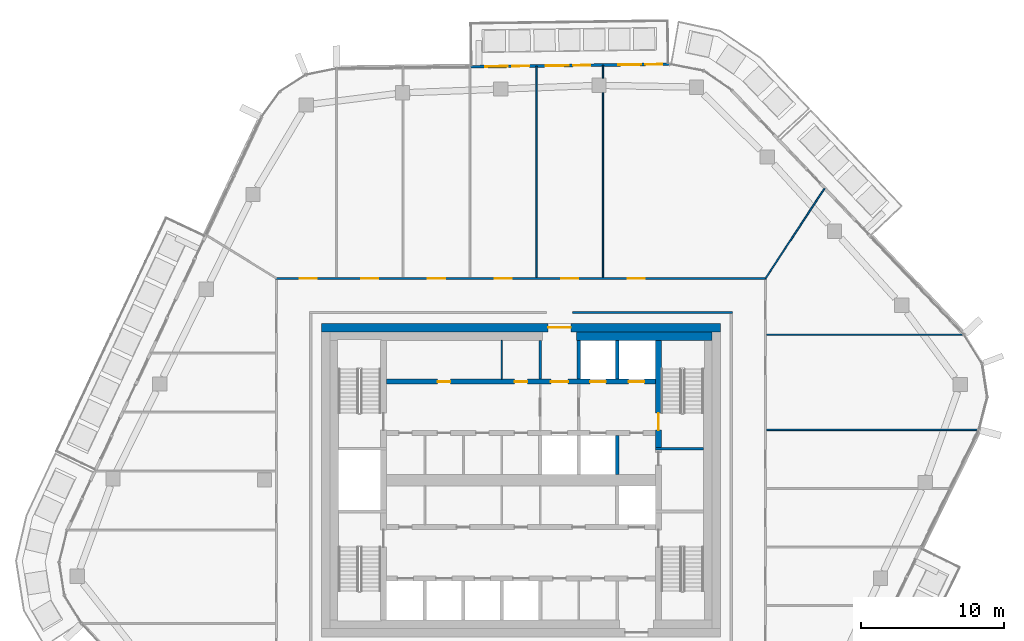
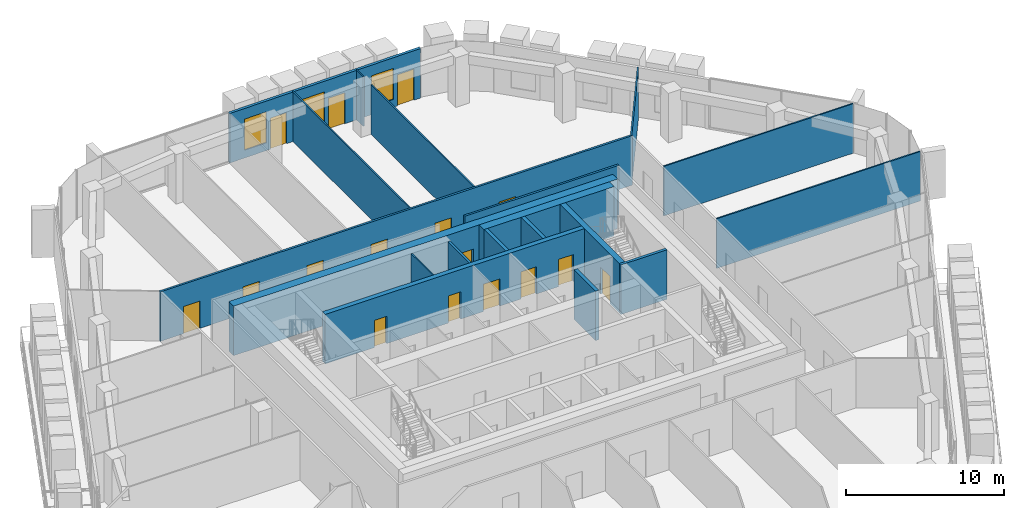
# One storey, part 16 of 23: 19 walls, 16 doors, 3 windows, 19 openings.
"""IFC4 building model written with IfcOpenShell, lengths in metres."""

from ifc_helpers import new_model, si_unit, direction, frame, frame_2d, origin, place, context, subcontext, project, spatial, rectangle, extrude, material, layer, layer_set, type_object, element, fill, save


model = new_model("IFC4")

# Units and contexts
model_context = context("Model", 3, precision=1e-05, world=origin(), true_north=direction((0.0, 1.0)))
body_context = subcontext(model_context, "Body", "Model", "MODEL_VIEW")
ifc_project = project(units=[si_unit("LENGTHUNIT", "METRE"), si_unit("AREAUNIT", "SQUARE_METRE"), si_unit("VOLUMEUNIT", "CUBIC_METRE"), si_unit("PLANEANGLEUNIT", "RADIAN"), si_unit("MASSUNIT", "GRAM", prefix="KILO")], contexts=[model_context])

# Site, building, storey
site_placement = place(None, origin())
site = spatial("IfcSite", under=ifc_project, at=site_placement, CompositionType="ELEMENT")
building_placement = place(site_placement, origin())
building = spatial("IfcBuilding", under=site, at=building_placement, Name="Dongbaek Canopy Tower", CompositionType="ELEMENT")
storey_placement = place(building_placement, frame((0.0, 0.0, 336.199951171875)))
storey = spatial("IfcBuildingStorey", under=building, at=storey_placement, Name="L72", CompositionType="ELEMENT", Elevation=336.199951171875)

# Wall, openings, doors
ifc_material_1 = material(Name="Concrete C60/75", Category="concrete")
ifc_layer_1 = layer(ifc_material_1, 0.35009765625)
ifc_layer_set_1 = layer_set([ifc_layer_1], Name="Core lobby wall 350 Concrete C60/75")
wall_type_1 = type_object("IfcWallType", Name="Core lobby wall 350 Concrete C60/75", PredefinedType="SHEAR", material=ifc_layer_set_1)
wall_1_placement = place(storey_placement, frame((-9.449951171875, 6.89990234375, 0.0), z_axis=(0.0, 0.0, 1.0), x_axis=(1.0, 0.0, 0.0)))
wall_1 = element("IfcWall", 1, at=wall_1_placement, inside=storey, type_object=wall_type_1, Name="Core wall", PredefinedType="SHEAR", context=body_context, shape_type="SweptSolid", body=[
    extrude(rectangle(XDim=18.89990234375, YDim=0.35009765625, at=frame_2d((9.449951171875, 0.0))), origin(), (0.0, 0.0, 1.0), 3.820068359375),
])
opening_1_placement = place(wall_1_placement, frame((11.550048828125, 0.0, 0.0)))
opening_1 = element("IfcOpeningElement", 2, at=opening_1_placement, cuts=wall_1, Name="Opening L72-D027", PredefinedType="OPENING", context=body_context, shape_type="SweptSolid", body=[
    extrude(rectangle(XDim=1.199951171875, YDim=2.10009765625, at=frame_2d((0.60009765625, 1.050048828125))), frame((0.0, 0.18505859375, 0.0), z_axis=(0.0, -1.0, 0.0), x_axis=(1.0, 0.0, 0.0)), (0.0, 0.0, 1.0), 0.3701171875),
])
opening_2_placement = place(wall_1_placement, frame((14.300048828125, 0.0, 0.0)))
opening_2 = element("IfcOpeningElement", 3, at=opening_2_placement, cuts=wall_1, Name="Opening L72-D028", PredefinedType="OPENING", context=body_context, shape_type="SweptSolid", body=[
    extrude(rectangle(XDim=1.10009765625, YDim=2.10009765625, at=frame_2d((0.550048828125, 1.050048828125))), frame((0.0, 0.18505859375, 0.0), z_axis=(0.0, -1.0, 0.0), x_axis=(1.0, 0.0, 0.0)), (0.0, 0.0, 1.0), 0.3701171875),
])
opening_3_placement = place(wall_1_placement, frame((17.0, 0.0, 0.0)))
opening_3 = element("IfcOpeningElement", 4, at=opening_3_placement, cuts=wall_1, Name="Opening L72-D029", PredefinedType="OPENING", context=body_context, shape_type="SweptSolid", body=[
    extrude(rectangle(XDim=1.10009765625, YDim=2.10009765625, at=frame_2d((0.550048828125, 1.050048828125))), frame((0.0, 0.18505859375, 0.0), z_axis=(0.0, -1.0, 0.0), x_axis=(1.0, 0.0, 0.0)), (0.0, 0.0, 1.0), 0.3701171875),
])
opening_4_placement = place(wall_1_placement, frame((3.60009765625, 0.0, 0.0)))
opening_4 = element("IfcOpeningElement", 5, at=opening_4_placement, cuts=wall_1, Name="Opening L72-D040", PredefinedType="OPENING", context=body_context, shape_type="SweptSolid", body=[
    extrude(rectangle(XDim=0.89990234375, YDim=2.10009765625, at=frame_2d((0.449951171875, 1.050048828125))), frame((0.0, 0.18505859375, 0.0), z_axis=(0.0, -1.0, 0.0), x_axis=(1.0, 0.0, 0.0)), (0.0, 0.0, 1.0), 0.3701171875),
])
opening_5_placement = place(wall_1_placement, frame((9.0, 0.0, 0.0)))
opening_5 = element("IfcOpeningElement", 6, at=opening_5_placement, cuts=wall_1, Name="Opening L72-D041", PredefinedType="OPENING", context=body_context, shape_type="SweptSolid", body=[
    extrude(rectangle(XDim=0.89990234375, YDim=2.10009765625, at=frame_2d((0.449951171875, 1.050048828125))), frame((0.0, 0.18505859375, 0.0), z_axis=(0.0, -1.0, 0.0), x_axis=(1.0, 0.0, 0.0)), (0.0, 0.0, 1.0), 0.3701171875),
])
ifc_material_2 = material(Name="Steel", Category="steel")
door_type_1 = type_object("IfcDoorType", Name="Core room door 900 x 2100", OperationType="SINGLE_SWING_LEFT", PredefinedType="DOOR", material=ifc_material_2)
door_1_placement = place(opening_4_placement, origin())
door_1 = element("IfcDoor", 7, at=door_1_placement, inside=storey, type_object=door_type_1, Name="Door L72-D040", OperationType="SINGLE_SWING_RIGHT", OverallHeight=2.10009765625, OverallWidth=0.89990234375, PredefinedType="DOOR", context=body_context, shape_type="SweptSolid", body=[
    extrude(rectangle(XDim=0.89990234375, YDim=2.10009765625, at=frame_2d((0.449951171875, 1.050048828125))), frame((0.0, 0.02490234375, 0.0), z_axis=(0.0, -1.0, 0.0), x_axis=(1.0, 0.0, 0.0)), (0.0, 0.0, 1.0), 0.050048828125),
])
fill(opening_4, door_1)
door_2_placement = place(opening_5_placement, origin())
door_2 = element("IfcDoor", 8, at=door_2_placement, inside=storey, type_object=door_type_1, Name="Door L72-D041", OperationType="SINGLE_SWING_LEFT", OverallHeight=2.10009765625, OverallWidth=0.89990234375, PredefinedType="DOOR", context=body_context, shape_type="SweptSolid", body=[
    extrude(rectangle(XDim=0.89990234375, YDim=2.10009765625, at=frame_2d((0.449951171875, 1.050048828125))), frame((0.0, 0.02490234375, 0.0), z_axis=(0.0, -1.0, 0.0), x_axis=(1.0, 0.0, 0.0)), (0.0, 0.0, 1.0), 0.050048828125),
])
fill(opening_5, door_2)
ifc_material_3 = material(Name="Steel", Category="steel")
door_type_2 = type_object("IfcDoorType", Name="Fire lobby door 1200 x 2100", OperationType="SINGLE_SWING_LEFT", PredefinedType="DOOR", material=ifc_material_3)
door_3_placement = place(opening_1_placement, origin())
door_3 = element("IfcDoor", 9, at=door_3_placement, inside=storey, type_object=door_type_2, Name="Door L72-D027", OperationType="SINGLE_SWING_LEFT", OverallHeight=2.10009765625, OverallWidth=1.199951171875, PredefinedType="DOOR", context=body_context, shape_type="SweptSolid", body=[
    extrude(rectangle(XDim=1.199951171875, YDim=2.10009765625, at=frame_2d((0.60009765625, 1.050048828125))), frame((0.0, 0.02490234375, 0.0), z_axis=(0.0, -1.0, 0.0), x_axis=(1.0, 0.0, 0.0)), (0.0, 0.0, 1.0), 0.050048828125),
])
fill(opening_1, door_3)
ifc_material_4 = material(Name="Stainless steel", Category="steel")
door_type_3 = type_object("IfcDoorType", Name="Lift landing door 1100 x 2100", OperationType="DOUBLE_DOOR_SLIDING", PredefinedType="DOOR", material=ifc_material_4)
door_4_placement = place(opening_2_placement, origin())
door_4 = element("IfcDoor", 10, at=door_4_placement, inside=storey, type_object=door_type_3, Name="Landing door FF1", OperationType="DOUBLE_DOOR_SLIDING", OverallHeight=2.10009765625, OverallWidth=1.10009765625, PredefinedType="DOOR", context=body_context, shape_type="SweptSolid", body=[
    extrude(rectangle(XDim=1.10009765625, YDim=2.10009765625, at=frame_2d((0.550048828125, 1.050048828125))), frame((0.0, 0.02490234375, 0.0), z_axis=(0.0, -1.0, 0.0), x_axis=(1.0, 0.0, 0.0)), (0.0, 0.0, 1.0), 0.050048828125),
])
fill(opening_2, door_4)
door_5_placement = place(opening_3_placement, origin())
door_5 = element("IfcDoor", 11, at=door_5_placement, inside=storey, type_object=door_type_3, Name="Landing door FF2", OperationType="DOUBLE_DOOR_SLIDING", OverallHeight=2.10009765625, OverallWidth=1.10009765625, PredefinedType="DOOR", context=body_context, shape_type="SweptSolid", body=[
    extrude(rectangle(XDim=1.10009765625, YDim=2.10009765625, at=frame_2d((0.550048828125, 1.050048828125))), frame((0.0, 0.02490234375, 0.0), z_axis=(0.0, -1.0, 0.0), x_axis=(1.0, 0.0, 0.0)), (0.0, 0.0, 1.0), 0.050048828125),
])
fill(opening_3, door_5)

# Wall, opening, door
ifc_material_5 = material(Name="Concrete C80/95", Category="concrete")
ifc_layer_2 = layer(ifc_material_5, 0.60009765625)
ifc_layer_set_2 = layer_set([ifc_layer_2], Name="Core outer wall 600 Concrete C80/95")
wall_type_2 = type_object("IfcWallType", Name="Core outer wall 600 Concrete C80/95", PredefinedType="SHEAR", material=ifc_layer_set_2)
wall_2_placement = place(storey_placement, frame((-14.0, 10.699951171875, 0.0), z_axis=(0.0, 0.0, 1.0), x_axis=(1.0, 0.0, 0.0)))
wall_2 = element("IfcWall", 12, at=wall_2_placement, inside=storey, type_object=wall_type_2, Name="Core wall", PredefinedType="SHEAR", context=body_context, shape_type="SweptSolid", body=[
    extrude(rectangle(XDim=28.0, YDim=0.60009765625, at=frame_2d((14.0, 0.0))), origin(), (0.0, 0.0, 1.0), 3.820068359375),
])
opening_6_placement = place(wall_2_placement, frame((15.89990234375, 0.0, 0.0)))
opening_6 = element("IfcOpeningElement", 13, at=opening_6_placement, cuts=wall_2, Name="Opening L72-D026", PredefinedType="OPENING", context=body_context, shape_type="SweptSolid", body=[
    extrude(rectangle(XDim=1.60009765625, YDim=2.10009765625, at=frame_2d((0.800048828125, 1.050048828125))), frame((0.0, 0.31005859375, 0.0), z_axis=(0.0, -1.0, 0.0), x_axis=(1.0, 0.0, 0.0)), (0.0, 0.0, 1.0), 0.6201171875),
])
ifc_material_6 = material(Name="Steel", Category="steel")
door_type_4 = type_object("IfcDoorType", Name="Core exit door 1600 x 2100", OperationType="DOUBLE_DOOR_SINGLE_SWING", PredefinedType="DOOR", material=ifc_material_6)
door_6_placement = place(opening_6_placement, origin())
door_6 = element("IfcDoor", 14, at=door_6_placement, inside=storey, type_object=door_type_4, Name="Core exit door", OperationType="DOUBLE_DOOR_SINGLE_SWING", OverallHeight=2.10009765625, OverallWidth=1.60009765625, PredefinedType="DOOR", context=body_context, shape_type="SweptSolid", body=[
    extrude(rectangle(XDim=1.60009765625, YDim=2.10009765625, at=frame_2d((0.800048828125, 1.050048828125))), frame((0.0, 0.02490234375, 0.0), z_axis=(0.0, -1.0, 0.0), x_axis=(1.0, 0.0, 0.0)), (0.0, 0.0, 1.0), 0.050048828125),
])
fill(opening_6, door_6)

# Walls
ifc_material_7 = material(Name="Concrete C60/75", Category="concrete")
ifc_layer_3 = layer(ifc_material_7, 0.60009765625)
ifc_layer_set_3 = layer_set([ifc_layer_3], Name="Core wall lining 600 Concrete C60/75")
wall_type_3 = type_object("IfcWallType", Name="Core wall lining 600 Concrete C60/75", PredefinedType="SHEAR", material=ifc_layer_set_3)
wall_3_placement = place(storey_placement, frame((3.89990234375, 10.10009765625, 0.0), z_axis=(0.0, 0.0, 1.0), x_axis=(1.0, 0.0, 0.0)))
element("IfcWall", 15, at=wall_3_placement, inside=storey, type_object=wall_type_3, Name="Core wall lining", PredefinedType="SHEAR", context=body_context, shape_type="SweptSolid", body=[
    extrude(rectangle(XDim=9.5, YDim=0.60009765625, at=frame_2d((4.75, 0.0))), origin(), (0.0, 0.0, 1.0), 3.820068359375),
])
ifc_material_8 = material(Name="Gypsum board partition, steel stud, 2 x 15 mm fire board", Category="steel")
ifc_layer_4 = layer(ifc_material_8, 0.14990234375)
ifc_layer_set_4 = layer_set([ifc_layer_4], Name="Fire-rated partition 150 gypsum board")
wall_type_4 = type_object("IfcWallType", Name="Fire-rated partition 150 gypsum board", PredefinedType="PARTITIONING", material=ifc_layer_set_4)
wall_4_placement = place(storey_placement, frame((3.60009765625, 11.75, 0.0), z_axis=(0.0, 0.0, 1.0), x_axis=(1.0, 0.0, 0.0)))
element("IfcWall", 16, at=wall_4_placement, inside=storey, type_object=wall_type_4, Name="Corridor partition", PredefinedType="PARTITIONING", context=body_context, shape_type="SweptSolid", body=[
    extrude(rectangle(XDim=11.224853515625, YDim=0.14990234375, at=frame_2d((5.6123046875, 0.0))), origin(), (0.0, 0.0, 1.0), 3.820068359375),
])

# Wall, openings, doors
wall_5_placement = place(storey_placement, frame((-17.22509765625, 14.14990234375, 0.0), z_axis=(0.0, 0.0, 1.0), x_axis=(1.0, 0.0, 0.0)))
wall_5 = element("IfcWall", 17, at=wall_5_placement, inside=storey, type_object=wall_type_4, Name="Corridor partition", PredefinedType="PARTITIONING", context=body_context, shape_type="SweptSolid", body=[
    extrude(rectangle(XDim=34.4501953125, YDim=0.14990234375, at=frame_2d((17.22509765625, 0.0))), origin(), (0.0, 0.0, 1.0), 3.820068359375),
])
opening_7_placement = place(wall_5_placement, frame((24.70849609375, 0.0, 0.0)))
opening_7 = element("IfcOpeningElement", 18, at=opening_7_placement, cuts=wall_5, Name="Opening L72-D016", PredefinedType="OPENING", context=body_context, shape_type="SweptSolid", body=[
    extrude(rectangle(XDim=1.199951171875, YDim=2.10009765625, at=frame_2d((0.60009765625, 1.050048828125))), frame((0.0, 0.0849609375, 0.0), z_axis=(0.0, -1.0, 0.0), x_axis=(1.0, 0.0, 0.0)), (0.0, 0.0, 1.0), 0.169921875),
])
opening_8_placement = place(wall_5_placement, frame((20.03759765625, 0.0, 0.0)))
opening_8 = element("IfcOpeningElement", 19, at=opening_8_placement, cuts=wall_5, Name="Opening L72-D017", PredefinedType="OPENING", context=body_context, shape_type="SweptSolid", body=[
    extrude(rectangle(XDim=1.199951171875, YDim=2.10009765625, at=frame_2d((0.60009765625, 1.050048828125))), frame((0.0, 0.0849609375, 0.0), z_axis=(0.0, -1.0, 0.0), x_axis=(1.0, 0.0, 0.0)), (0.0, 0.0, 1.0), 0.169921875),
])
opening_9_placement = place(wall_5_placement, frame((15.366943359375, 0.0, 0.0)))
opening_9 = element("IfcOpeningElement", 20, at=opening_9_placement, cuts=wall_5, Name="Opening L72-D018", PredefinedType="OPENING", context=body_context, shape_type="SweptSolid", body=[
    extrude(rectangle(XDim=1.199951171875, YDim=2.10009765625, at=frame_2d((0.60009765625, 1.050048828125))), frame((0.0, 0.0849609375, 0.0), z_axis=(0.0, -1.0, 0.0), x_axis=(1.0, 0.0, 0.0)), (0.0, 0.0, 1.0), 0.169921875),
])
opening_10_placement = place(wall_5_placement, frame((10.694580078125, 0.0, 0.0)))
opening_10 = element("IfcOpeningElement", 21, at=opening_10_placement, cuts=wall_5, Name="Opening L72-D019", PredefinedType="OPENING", context=body_context, shape_type="SweptSolid", body=[
    extrude(rectangle(XDim=1.199951171875, YDim=2.10009765625, at=frame_2d((0.60009765625, 1.050048828125))), frame((0.0, 0.0849609375, 0.0), z_axis=(0.0, -1.0, 0.0), x_axis=(1.0, 0.0, 0.0)), (0.0, 0.0, 1.0), 0.169921875),
])
opening_11_placement = place(wall_5_placement, frame((6.02490234375, 0.0, 0.0)))
opening_11 = element("IfcOpeningElement", 22, at=opening_11_placement, cuts=wall_5, Name="Opening L72-D020", PredefinedType="OPENING", context=body_context, shape_type="SweptSolid", body=[
    extrude(rectangle(XDim=1.199951171875, YDim=2.10009765625, at=frame_2d((0.60009765625, 1.050048828125))), frame((0.0, 0.0849609375, 0.0), z_axis=(0.0, -1.0, 0.0), x_axis=(1.0, 0.0, 0.0)), (0.0, 0.0, 1.0), 0.169921875),
])
opening_12_placement = place(wall_5_placement, frame((1.697998046875, 0.0, 0.0)))
opening_12 = element("IfcOpeningElement", 23, at=opening_12_placement, cuts=wall_5, Name="Opening L72-D021", PredefinedType="OPENING", context=body_context, shape_type="SweptSolid", body=[
    extrude(rectangle(XDim=1.199951171875, YDim=2.10009765625, at=frame_2d((0.60009765625, 1.050048828125))), frame((0.0, 0.0849609375, 0.0), z_axis=(0.0, -1.0, 0.0), x_axis=(1.0, 0.0, 0.0)), (0.0, 0.0, 1.0), 0.169921875),
])
ifc_material_9 = material(Name="Timber veneered door leaf", Category="wood")
door_type_5 = type_object("IfcDoorType", Name="Room door 1200 x 2100", OperationType="SINGLE_SWING_LEFT", PredefinedType="DOOR", material=ifc_material_9)
door_7_placement = place(opening_7_placement, origin())
door_7 = element("IfcDoor", 24, at=door_7_placement, inside=storey, type_object=door_type_5, Name="Door L72-D016", OperationType="SINGLE_SWING_LEFT", OverallHeight=2.10009765625, OverallWidth=1.199951171875, PredefinedType="DOOR", context=body_context, shape_type="SweptSolid", body=[
    extrude(rectangle(XDim=1.199951171875, YDim=2.10009765625, at=frame_2d((0.60009765625, 1.050048828125))), frame((0.0, 0.02490234375, 0.0), z_axis=(0.0, -1.0, 0.0), x_axis=(1.0, 0.0, 0.0)), (0.0, 0.0, 1.0), 0.050048828125),
])
fill(opening_7, door_7)
door_8_placement = place(opening_8_placement, origin())
door_8 = element("IfcDoor", 25, at=door_8_placement, inside=storey, type_object=door_type_5, Name="Door L72-D017", OperationType="SINGLE_SWING_RIGHT", OverallHeight=2.10009765625, OverallWidth=1.199951171875, PredefinedType="DOOR", context=body_context, shape_type="SweptSolid", body=[
    extrude(rectangle(XDim=1.199951171875, YDim=2.10009765625, at=frame_2d((0.60009765625, 1.050048828125))), frame((0.0, 0.02490234375, 0.0), z_axis=(0.0, -1.0, 0.0), x_axis=(1.0, 0.0, 0.0)), (0.0, 0.0, 1.0), 0.050048828125),
])
fill(opening_8, door_8)
door_9_placement = place(opening_9_placement, origin())
door_9 = element("IfcDoor", 26, at=door_9_placement, inside=storey, type_object=door_type_5, Name="Door L72-D018", OperationType="SINGLE_SWING_LEFT", OverallHeight=2.10009765625, OverallWidth=1.199951171875, PredefinedType="DOOR", context=body_context, shape_type="SweptSolid", body=[
    extrude(rectangle(XDim=1.199951171875, YDim=2.10009765625, at=frame_2d((0.60009765625, 1.050048828125))), frame((0.0, 0.02490234375, 0.0), z_axis=(0.0, -1.0, 0.0), x_axis=(1.0, 0.0, 0.0)), (0.0, 0.0, 1.0), 0.050048828125),
])
fill(opening_9, door_9)
door_10_placement = place(opening_10_placement, origin())
door_10 = element("IfcDoor", 27, at=door_10_placement, inside=storey, type_object=door_type_5, Name="Door L72-D019", OperationType="SINGLE_SWING_RIGHT", OverallHeight=2.10009765625, OverallWidth=1.199951171875, PredefinedType="DOOR", context=body_context, shape_type="SweptSolid", body=[
    extrude(rectangle(XDim=1.199951171875, YDim=2.10009765625, at=frame_2d((0.60009765625, 1.050048828125))), frame((0.0, 0.02490234375, 0.0), z_axis=(0.0, -1.0, 0.0), x_axis=(1.0, 0.0, 0.0)), (0.0, 0.0, 1.0), 0.050048828125),
])
fill(opening_10, door_10)
door_11_placement = place(opening_11_placement, origin())
door_11 = element("IfcDoor", 28, at=door_11_placement, inside=storey, type_object=door_type_5, Name="Door L72-D020", OperationType="SINGLE_SWING_LEFT", OverallHeight=2.10009765625, OverallWidth=1.199951171875, PredefinedType="DOOR", context=body_context, shape_type="SweptSolid", body=[
    extrude(rectangle(XDim=1.199951171875, YDim=2.10009765625, at=frame_2d((0.60009765625, 1.050048828125))), frame((0.0, 0.02490234375, 0.0), z_axis=(0.0, -1.0, 0.0), x_axis=(1.0, 0.0, 0.0)), (0.0, 0.0, 1.0), 0.050048828125),
])
fill(opening_11, door_11)
door_12_placement = place(opening_12_placement, origin())
door_12 = element("IfcDoor", 29, at=door_12_placement, inside=storey, type_object=door_type_5, Name="Door L72-D021", OperationType="SINGLE_SWING_RIGHT", OverallHeight=2.10009765625, OverallWidth=1.199951171875, PredefinedType="DOOR", context=body_context, shape_type="SweptSolid", body=[
    extrude(rectangle(XDim=1.199951171875, YDim=2.10009765625, at=frame_2d((0.60009765625, 1.050048828125))), frame((0.0, 0.02490234375, 0.0), z_axis=(0.0, -1.0, 0.0), x_axis=(1.0, 0.0, 0.0)), (0.0, 0.0, 1.0), 0.050048828125),
])
fill(opening_12, door_12)

# Walls
wall_6_placement = place(storey_placement, frame((1.35009765625, 7.074951171875, 0.0), z_axis=(0.0, 0.0, 1.0), x_axis=(0.0, 1.0, 0.0)))
element("IfcWall", 30, at=wall_6_placement, inside=storey, type_object=wall_type_4, Name="Fire lobby partition", PredefinedType="PARTITIONING", context=body_context, shape_type="SweptSolid", body=[
    extrude(rectangle(XDim=2.72509765625, YDim=0.14990234375, at=frame_2d((1.362548828125, 0.0))), origin(), (0.0, 0.0, 1.0), 3.820068359375),
])
ifc_material_10 = material(Name="Concrete C40/50", Category="concrete")
ifc_layer_5 = layer(ifc_material_10, 0.25)
ifc_layer_set_5 = layer_set([ifc_layer_5], Name="Lift shaft wall 250 Concrete C40/50")
wall_type_5 = type_object("IfcWallType", Name="Lift shaft wall 250 Concrete C40/50", PredefinedType="SOLIDWALL", material=ifc_layer_set_5)
for number, where, z_axis, x_axis, name in (
    (31, (6.75, 0.39990234375, 0.0), (0.0, 0.0, 1.0), (0.0, 1.0, 0.0), "Lift shaft wall"),
    (32, (6.75, 7.074951171875, 0.0), (0.0, 0.0, 1.0), (0.0, 1.0, 0.0), "Lift shaft wall"),
    (33, (4.050048828125, 7.074951171875, 0.0), (0.0, 0.0, 1.0), (0.0, 1.0, 0.0), "Lift shaft wall"),
):
    element("IfcWall", number, at=place(storey_placement, frame(where, z_axis=z_axis, x_axis=x_axis)), inside=storey, type_object=wall_type_5, Name=name, PredefinedType="SOLIDWALL", context=body_context, shape_type="SweptSolid", body=[
        extrude(rectangle(XDim=2.72509765625, YDim=0.25, at=frame_2d((1.362548828125, 0.0))), origin(), (0.0, 0.0, 1.0), 3.820068359375),
    ])
ifc_material_11 = material(Name="Gypsum board partition, steel stud, 2 x 12.5 mm board", Category="steel")
ifc_layer_6 = layer(ifc_material_11, 0.10009765625)
ifc_layer_set_6 = layer_set([ifc_layer_6], Name="Partition 100 gypsum board")
wall_type_6 = type_object("IfcWallType", Name="Partition 100 gypsum board", PredefinedType="PARTITIONING", material=ifc_layer_set_6)
wall_7_placement = place(storey_placement, frame((17.22509765625, 3.52197265625, 0.0), z_axis=(0.0, 0.0, 1.0), x_axis=(1.0, 0.0, 0.0)))
element("IfcWall", 34, at=wall_7_placement, inside=storey, type_object=wall_type_6, Name="Partition", PredefinedType="PARTITIONING", context=body_context, shape_type="SweptSolid", body=[
    extrude(rectangle(XDim=14.8544921875, YDim=0.10009765625, at=frame_2d((7.42724609375, 0.0))), origin(), (0.0, 0.0, 1.0), 3.820068359375),
])
wall_8_placement = place(storey_placement, frame((17.22509765625, 10.194091796875, 0.0), z_axis=(0.0, 0.0, 1.0), x_axis=(1.0, 0.0, 0.0)))
element("IfcWall", 35, at=wall_8_placement, inside=storey, type_object=wall_type_6, Name="Partition", PredefinedType="PARTITIONING", context=body_context, shape_type="SweptSolid", body=[
    extrude(rectangle(XDim=13.823486328125, YDim=0.10009765625, at=frame_2d((6.91162109375, 0.0))), origin(), (0.0, 0.0, 1.0), 3.820068359375),
])
wall_9_placement = place(storey_placement, frame((17.150146484375, 14.14990234375, 0.0), z_axis=(0.0, 0.0, 1.0), x_axis=(0.548731307267, 0.835998775373, 0.0)))
element("IfcWall", 36, at=wall_9_placement, inside=storey, type_object=wall_type_6, Name="Partition", PredefinedType="PARTITIONING", context=body_context, shape_type="SweptSolid", body=[
    extrude(rectangle(XDim=7.55029296875, YDim=0.10009765625, at=frame_2d((3.775146484375, 0.0))), origin(), (0.0, 0.0, 1.0), 3.820068359375),
])
wall_10_placement = place(storey_placement, frame((5.748046875, 14.22509765625, 0.0), z_axis=(0.0, 0.0, 1.0), x_axis=(0.0, 1.0, 0.0)))
element("IfcWall", 37, at=wall_10_placement, inside=storey, type_object=wall_type_6, Name="Partition", PredefinedType="PARTITIONING", context=body_context, shape_type="SweptSolid", body=[
    extrude(rectangle(XDim=12.966796875, YDim=0.10009765625, at=frame_2d((6.4833984375, 0.0))), origin(), (0.0, 0.0, 1.0), 3.820068359375),
])
wall_11_placement = place(storey_placement, frame((5.748046875, 28.19189453125, 0.0), z_axis=(0.0, 0.0, 1.0), x_axis=(0.0, 1.0, 0.0)))
element("IfcWall", 38, at=wall_11_placement, inside=storey, type_object=wall_type_6, Name="Partition", PredefinedType="PARTITIONING", context=body_context, shape_type="SweptSolid", body=[
    extrude(rectangle(XDim=0.903076171875, YDim=0.10009765625, at=frame_2d((0.45166015625, 0.0))), origin(), (0.0, 0.0, 1.0), 3.820068359375),
])
wall_12_placement = place(storey_placement, frame((1.076904296875, 14.22509765625, 0.0), z_axis=(0.0, 0.0, 1.0), x_axis=(0.0, 1.0, 0.0)))
element("IfcWall", 39, at=wall_12_placement, inside=storey, type_object=wall_type_6, Name="Partition", PredefinedType="PARTITIONING", context=body_context, shape_type="SweptSolid", body=[
    extrude(rectangle(XDim=14.808349609375, YDim=0.10009765625, at=frame_2d((7.404296875, 0.0))), origin(), (0.0, 0.0, 1.0), 3.820068359375),
])
wall_13_placement = place(storey_placement, frame((-1.35009765625, 7.074951171875, 0.0), z_axis=(0.0, 0.0, 1.0), x_axis=(0.0, 1.0, 0.0)))
element("IfcWall", 40, at=wall_13_placement, inside=storey, type_object=wall_type_6, Name="Core partition", PredefinedType="PARTITIONING", context=body_context, shape_type="SweptSolid", body=[
    extrude(rectangle(XDim=2.72509765625, YDim=0.10009765625, at=frame_2d((1.362548828125, 0.0))), origin(), (0.0, 0.0, 1.0), 3.820068359375),
])
ifc_material_12 = material(Name="Concrete C60/75", Category="concrete")
ifc_layer_7 = layer(ifc_material_12, 0.199951171875)
ifc_layer_set_7 = layer_set([ifc_layer_7], Name="Riser wall 200 Concrete C60/75")
wall_type_7 = type_object("IfcWallType", Name="Riser wall 200 Concrete C60/75", PredefinedType="SHEAR", material=ifc_layer_set_7)
wall_14_placement = place(storey_placement, frame((9.449951171875, 2.199951171875, 0.0), z_axis=(0.0, 0.0, 1.0), x_axis=(1.0, 0.0, 0.0)))
element("IfcWall", 41, at=wall_14_placement, inside=storey, type_object=wall_type_7, Name="Riser wall", PredefinedType="SHEAR", context=body_context, shape_type="SweptSolid", body=[
    extrude(rectangle(XDim=3.35009765625, YDim=0.199951171875, at=frame_2d((1.675048828125, 0.0))), origin(), (0.0, 0.0, 1.0), 3.820068359375),
])

# Wall, opening, door
ifc_material_13 = material(Name="Concrete C60/75", Category="concrete")
ifc_layer_8 = layer(ifc_material_13, 0.39990234375)
ifc_layer_set_8 = layer_set([ifc_layer_8], Name="Stair wall 400 Concrete C60/75")
wall_type_8 = type_object("IfcWallType", Name="Stair wall 400 Concrete C60/75", PredefinedType="SHEAR", material=ifc_layer_set_8)
wall_15_placement = place(storey_placement, frame((9.64990234375, 9.800048828125, 0.0), z_axis=(0.0, 0.0, 1.0), x_axis=(0.0, -1.0, 0.0)))
wall_15 = element("IfcWall", 42, at=wall_15_placement, inside=storey, type_object=wall_type_8, Name="Stair wall", PredefinedType="SHEAR", context=body_context, shape_type="SweptSolid", body=[
    extrude(rectangle(XDim=7.5, YDim=0.39990234375, at=frame_2d((3.75, 0.0))), origin(), (0.0, 0.0, 1.0), 3.820068359375),
])
opening_13_placement = place(wall_15_placement, frame((5.10009765625, 0.0, 0.0)))
opening_13 = element("IfcOpeningElement", 43, at=opening_13_placement, cuts=wall_15, Name="Opening L72-D052", PredefinedType="OPENING", context=body_context, shape_type="SweptSolid", body=[
    extrude(rectangle(XDim=1.199951171875, YDim=2.10009765625, at=frame_2d((0.60009765625, 1.050048828125))), frame((0.0, 0.2099609375, 0.0), z_axis=(0.0, -1.0, 0.0), x_axis=(1.0, 0.0, 0.0)), (0.0, 0.0, 1.0), 0.419921875),
])
ifc_material_14 = material(Name="Steel", Category="steel")
door_type_6 = type_object("IfcDoorType", Name="Stair door 1200 x 2100", OperationType="SINGLE_SWING_LEFT", PredefinedType="DOOR", material=ifc_material_14)
door_13_placement = place(opening_13_placement, origin())
door_13 = element("IfcDoor", 44, at=door_13_placement, inside=storey, type_object=door_type_6, Name="Stair A door", OperationType="SINGLE_SWING_LEFT", OverallHeight=2.10009765625, OverallWidth=1.199951171875, PredefinedType="DOOR", context=body_context, shape_type="SweptSolid", body=[
    extrude(rectangle(XDim=1.199951171875, YDim=2.10009765625, at=frame_2d((0.60009765625, 1.050048828125))), frame((0.0, 0.02490234375, 0.0), z_axis=(0.0, -1.0, 0.0), x_axis=(1.0, 0.0, 0.0)), (0.0, 0.0, 1.0), 0.050048828125),
])
fill(opening_13, door_13)

# Wall, openings, doors, windows
ifc_material_15 = material(Name="Aluminium window wall", Category="aluminium")
ifc_layer_9 = layer(ifc_material_15, 0.199951171875)
ifc_layer_set_9 = layer_set([ifc_layer_9], Name="Window wall 200")
wall_type_9 = type_object("IfcWallType", Name="Window wall 200", PredefinedType="SOLIDWALL", material=ifc_layer_set_9)
wall_16_placement = place(storey_placement, frame((10.4189453125, 29.176513671875, 0.0), z_axis=(0.0, 0.0, 1.0), x_axis=(-0.999913262087, -0.013170736582, 0.0)))
wall_16 = element("IfcWall", 45, at=wall_16_placement, inside=storey, type_object=wall_type_9, Name="Window wall L72 2", PredefinedType="SOLIDWALL", context=body_context, shape_type="SweptSolid", body=[
    extrude(rectangle(XDim=14.013671875, YDim=0.199951171875, at=frame_2d((7.0068359375, 0.0))), origin(), (0.0, 0.0, 1.0), 3.820068359375),
])
opening_14_placement = place(wall_16_placement, frame((2.0, 0.0, 0.60009765625)))
opening_14 = element("IfcOpeningElement", 46, at=opening_14_placement, cuts=wall_16, Name="Opening W1", PredefinedType="OPENING", context=body_context, shape_type="SweptSolid", body=[
    extrude(rectangle(XDim=1.60009765625, YDim=2.39990234375, at=frame_2d((0.800048828125, 1.199951171875))), frame((0.0, 0.10986328125, 0.0), z_axis=(0.0, -1.0, 0.0), x_axis=(1.0, 0.0, 0.0)), (0.0, 0.0, 1.0), 0.219970703125),
])
opening_15_placement = place(wall_16_placement, frame((0.5, 0.0, 0.0)))
opening_15 = element("IfcOpeningElement", 47, at=opening_15_placement, cuts=wall_16, Name="Opening L72-B04", PredefinedType="OPENING", context=body_context, shape_type="SweptSolid", body=[
    extrude(rectangle(XDim=1.199951171875, YDim=2.39990234375, at=frame_2d((0.60009765625, 1.199951171875))), frame((0.0, 0.10986328125, 0.0), z_axis=(0.0, -1.0, 0.0), x_axis=(1.0, 0.0, 0.0)), (0.0, 0.0, 1.0), 0.219970703125),
])
opening_16_placement = place(wall_16_placement, frame((7.0712890625, 0.0, 0.60009765625)))
opening_16 = element("IfcOpeningElement", 48, at=opening_16_placement, cuts=wall_16, Name="Opening W1", PredefinedType="OPENING", context=body_context, shape_type="SweptSolid", body=[
    extrude(rectangle(XDim=1.60009765625, YDim=2.39990234375, at=frame_2d((0.800048828125, 1.199951171875))), frame((0.0, 0.10986328125, 0.0), z_axis=(0.0, -1.0, 0.0), x_axis=(1.0, 0.0, 0.0)), (0.0, 0.0, 1.0), 0.219970703125),
])
opening_17_placement = place(wall_16_placement, frame((5.5712890625, 0.0, 0.0)))
opening_17 = element("IfcOpeningElement", 49, at=opening_17_placement, cuts=wall_16, Name="Opening L72-B05", PredefinedType="OPENING", context=body_context, shape_type="SweptSolid", body=[
    extrude(rectangle(XDim=1.199951171875, YDim=2.39990234375, at=frame_2d((0.60009765625, 1.199951171875))), frame((0.0, 0.10986328125, 0.0), z_axis=(0.0, -1.0, 0.0), x_axis=(1.0, 0.0, 0.0)), (0.0, 0.0, 1.0), 0.219970703125),
])
opening_18_placement = place(wall_16_placement, frame((11.34228515625, 0.0, 0.60009765625)))
opening_18 = element("IfcOpeningElement", 50, at=opening_18_placement, cuts=wall_16, Name="Opening W1", PredefinedType="OPENING", context=body_context, shape_type="SweptSolid", body=[
    extrude(rectangle(XDim=1.60009765625, YDim=2.39990234375, at=frame_2d((0.800048828125, 1.199951171875))), frame((0.0, 0.10986328125, 0.0), z_axis=(0.0, -1.0, 0.0), x_axis=(1.0, 0.0, 0.0)), (0.0, 0.0, 1.0), 0.219970703125),
])
opening_19_placement = place(wall_16_placement, frame((9.84228515625, 0.0, 0.0)))
opening_19 = element("IfcOpeningElement", 51, at=opening_19_placement, cuts=wall_16, Name="Opening L72-B06", PredefinedType="OPENING", context=body_context, shape_type="SweptSolid", body=[
    extrude(rectangle(XDim=1.199951171875, YDim=2.39990234375, at=frame_2d((0.60009765625, 1.199951171875))), frame((0.0, 0.10986328125, 0.0), z_axis=(0.0, -1.0, 0.0), x_axis=(1.0, 0.0, 0.0)), (0.0, 0.0, 1.0), 0.219970703125),
])
ifc_material_16 = material(Name="Clear glazing in aluminium frame", Category="aluminium")
door_type_7 = type_object("IfcDoorType", Name="Balcony door BD1 1200 x 2400", OperationType="SLIDING_TO_LEFT", PredefinedType="DOOR", material=ifc_material_16)
door_14_placement = place(opening_15_placement, origin())
door_14 = element("IfcDoor", 52, at=door_14_placement, inside=storey, type_object=door_type_7, Name="Balcony door L72-B04", OperationType="SLIDING_TO_LEFT", OverallHeight=2.39990234375, OverallWidth=1.199951171875, PredefinedType="DOOR", context=body_context, shape_type="SweptSolid", body=[
    extrude(rectangle(XDim=1.199951171875, YDim=2.39990234375, at=frame_2d((0.60009765625, 1.199951171875))), frame((0.0, 0.02490234375, 0.0), z_axis=(0.0, -1.0, 0.0), x_axis=(1.0, 0.0, 0.0)), (0.0, 0.0, 1.0), 0.050048828125),
])
fill(opening_15, door_14)
door_15_placement = place(opening_17_placement, origin())
door_15 = element("IfcDoor", 53, at=door_15_placement, inside=storey, type_object=door_type_7, Name="Balcony door L72-B05", OperationType="SLIDING_TO_LEFT", OverallHeight=2.39990234375, OverallWidth=1.199951171875, PredefinedType="DOOR", context=body_context, shape_type="SweptSolid", body=[
    extrude(rectangle(XDim=1.199951171875, YDim=2.39990234375, at=frame_2d((0.60009765625, 1.199951171875))), frame((0.0, 0.02490234375, 0.0), z_axis=(0.0, -1.0, 0.0), x_axis=(1.0, 0.0, 0.0)), (0.0, 0.0, 1.0), 0.050048828125),
])
fill(opening_17, door_15)
door_16_placement = place(opening_19_placement, origin())
door_16 = element("IfcDoor", 54, at=door_16_placement, inside=storey, type_object=door_type_7, Name="Balcony door L72-B06", OperationType="SLIDING_TO_LEFT", OverallHeight=2.39990234375, OverallWidth=1.199951171875, PredefinedType="DOOR", context=body_context, shape_type="SweptSolid", body=[
    extrude(rectangle(XDim=1.199951171875, YDim=2.39990234375, at=frame_2d((0.60009765625, 1.199951171875))), frame((0.0, 0.02490234375, 0.0), z_axis=(0.0, -1.0, 0.0), x_axis=(1.0, 0.0, 0.0)), (0.0, 0.0, 1.0), 0.050048828125),
])
fill(opening_19, door_16)
ifc_material_17 = material(Name="Clear glazing in aluminium frame", Category="aluminium")
window_type = type_object("IfcWindowType", Name="Window W1 1600 x 2400", PartitioningType="SINGLE_PANEL", PredefinedType="WINDOW", material=ifc_material_17)
window_1_placement = place(opening_14_placement, origin())
window_1 = element("IfcWindow", 55, at=window_1_placement, inside=storey, type_object=window_type, Name="Window L72 2.1", OverallHeight=2.39990234375, OverallWidth=1.60009765625, PartitioningType="SINGLE_PANEL", PredefinedType="WINDOW", context=body_context, shape_type="SweptSolid", body=[
    extrude(rectangle(XDim=1.60009765625, YDim=2.39990234375, at=frame_2d((0.800048828125, 1.199951171875))), frame((0.0, 0.030029296875, 0.0), z_axis=(0.0, -1.0, 0.0), x_axis=(1.0, 0.0, 0.0)), (0.0, 0.0, 1.0), 0.06005859375),
])
fill(opening_14, window_1)
window_2_placement = place(opening_16_placement, origin())
window_2 = element("IfcWindow", 56, at=window_2_placement, inside=storey, type_object=window_type, Name="Window L72 2.2", OverallHeight=2.39990234375, OverallWidth=1.60009765625, PartitioningType="SINGLE_PANEL", PredefinedType="WINDOW", context=body_context, shape_type="SweptSolid", body=[
    extrude(rectangle(XDim=1.60009765625, YDim=2.39990234375, at=frame_2d((0.800048828125, 1.199951171875))), frame((0.0, 0.030029296875, 0.0), z_axis=(0.0, -1.0, 0.0), x_axis=(1.0, 0.0, 0.0)), (0.0, 0.0, 1.0), 0.06005859375),
])
fill(opening_16, window_2)
window_3_placement = place(opening_18_placement, origin())
window_3 = element("IfcWindow", 57, at=window_3_placement, inside=storey, type_object=window_type, Name="Window L72 2.3", OverallHeight=2.39990234375, OverallWidth=1.60009765625, PartitioningType="SINGLE_PANEL", PredefinedType="WINDOW", context=body_context, shape_type="SweptSolid", body=[
    extrude(rectangle(XDim=1.60009765625, YDim=2.39990234375, at=frame_2d((0.800048828125, 1.199951171875))), frame((0.0, 0.030029296875, 0.0), z_axis=(0.0, -1.0, 0.0), x_axis=(1.0, 0.0, 0.0)), (0.0, 0.0, 1.0), 0.06005859375),
])
fill(opening_18, window_3)

save(model, "model.ifc")
